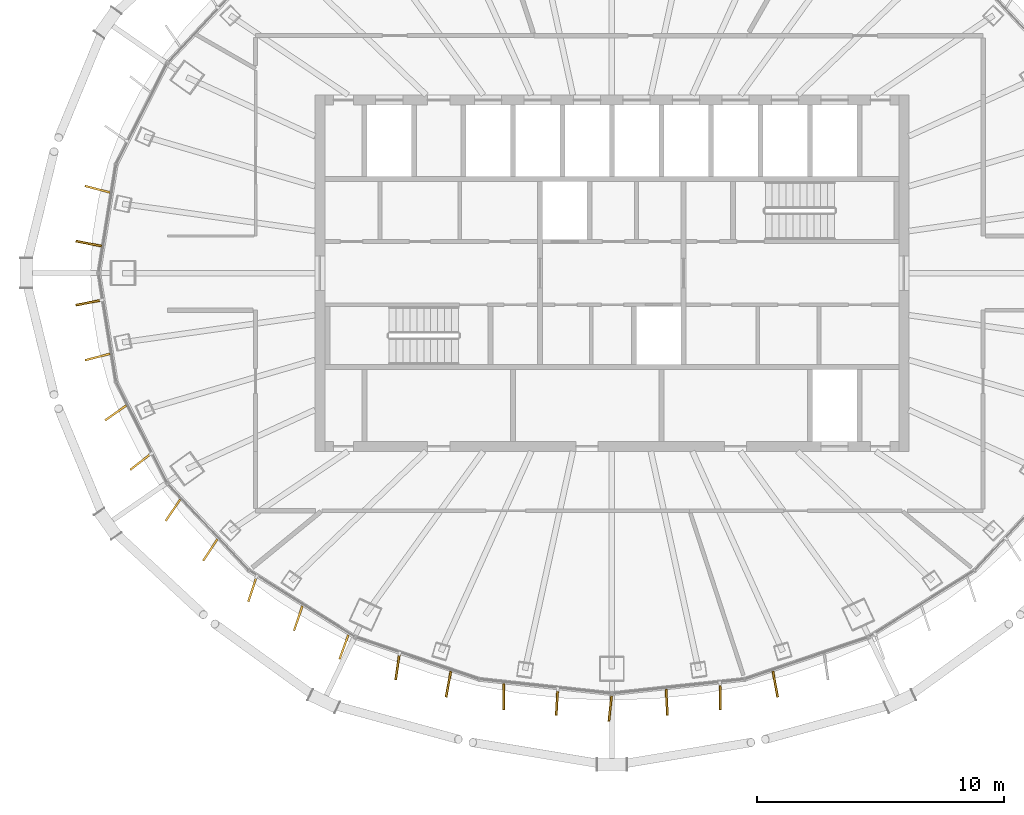
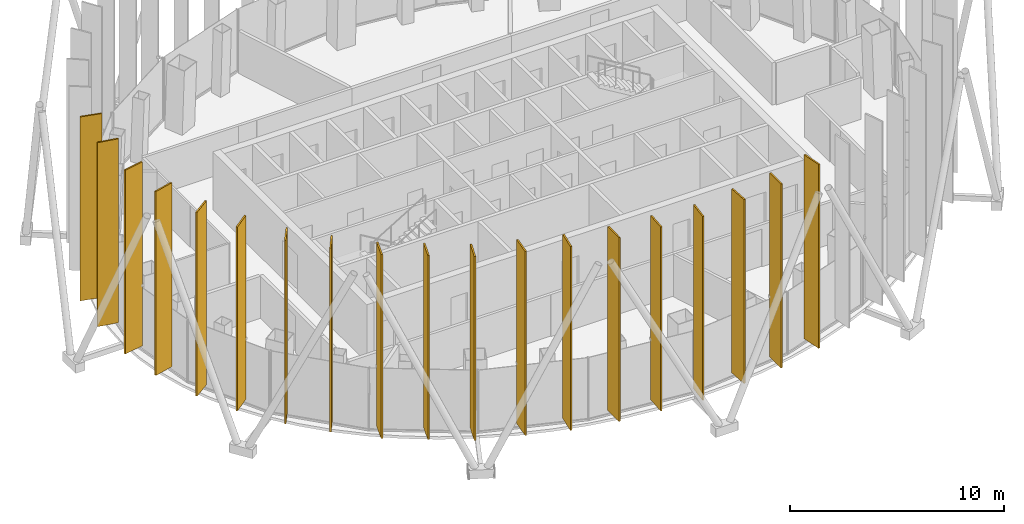
# One storey, part 16 of 19: 19 shading devices.
"""IFC4 building model written with IfcOpenShell, lengths in metres."""

from ifc_helpers import new_model, si_unit, direction, frame, origin, origin_2d, place, context, subcontext, project, spatial, rectangle, extrude, material, layer, layer_set, type_object, element, save


model = new_model("IFC4")

# Units and contexts
model_context = context("Model", 3, precision=1e-05, world=origin(), true_north=direction((0.0, 1.0)))
body_context = subcontext(model_context, "Body", "Model", "MODEL_VIEW")
ifc_project = project(units=[si_unit("LENGTHUNIT", "METRE"), si_unit("AREAUNIT", "SQUARE_METRE"), si_unit("VOLUMEUNIT", "CUBIC_METRE"), si_unit("PLANEANGLEUNIT", "RADIAN"), si_unit("MASSUNIT", "GRAM", prefix="KILO")], contexts=[model_context])

# Site, building, storey
site_placement = place(None, origin())
site = spatial("IfcSite", under=ifc_project, at=site_placement, CompositionType="ELEMENT")
building_placement = place(site_placement, origin())
building = spatial("IfcBuilding", under=site, at=building_placement, Name="Siaravel Broadcast Tower", CompositionType="ELEMENT")
storey_placement = place(building_placement, frame((0.0, 0.0, 250.39990234375)))
storey = spatial("IfcBuildingStorey", under=building, at=storey_placement, Name="L61", CompositionType="ELEMENT", Elevation=250.39990234375)

# Shading devices
ifc_material = material(Name="Bronze anodised aluminium", Category="aluminium")
ifc_layer = layer(ifc_material, 0.080078125)
ifc_layer_set = layer_set([ifc_layer], Name="Bronze anodised aluminium")
shading_device_type = type_object("IfcShadingDeviceType", Name="Bronze fin zone 4", PredefinedType="USERDEFINED", material=ifc_layer_set)
for number, where, z_axis, x_axis, name in (
    (1, (-20.787109375, 3.390869140625, 0.300048828125), (0.0, 0.0, 1.0), (-0.968487165, 0.249063468, 0.0), "Bronze fin L61-26"),
    (2, (-21.14208984375, 1.193359375, 0.300048828125), (0.0, 0.0, 1.0), (-0.981879749, 0.189505035, 0.0), "Bronze fin L61-27"),
    (3, (-21.14208984375, -1.193359375, 0.300048828125), (0.0, 0.0, 1.0), (-0.981879749, -0.189505035, 0.0), "Bronze fin L61-28"),
    (4, (-20.787109375, -3.390869140625, 0.300048828125), (0.0, 0.0, 1.0), (-0.968487165, -0.249063468, 0.0), "Bronze fin L61-29"),
    (5, (-20.05224609375, -5.65087890625, 0.300048828125), (0.0, 0.0, 1.0), (-0.81719721, -0.576358152, 0.0), "Bronze fin L61-30"),
    (6, (-19.04833984375, -7.62744140625, 0.300048828125), (0.0, 0.0, 1.0), (-0.790980122, -0.611841847, 0.0), "Bronze fin L61-31"),
    (7, (-17.73583984375, -9.580810546875, 0.300048828125), (0.0, 0.0, 1.0), (-0.561614141, -0.827399273, 0.0), "Bronze fin L61-32"),
    (8, (-16.22802734375, -11.18701171875, 0.300048828125), (0.0, 0.0, 1.0), (-0.546609208, -0.837387828, 0.0), "Bronze fin L61-33"),
    (9, (-14.5283203125, -12.78173828125, 0.300048828125), (0.0, 0.0, 1.0), (-0.311713096, -0.950176271, 0.0), "Bronze fin L61-34"),
    (10, (-12.6748046875, -13.94775390625, 0.300048828125), (0.0, 0.0, 1.0), (-0.319773042, -0.94749417, 0.0), "Bronze fin L61-35"),
    (11, (-10.82763671875, -15.11181640625, 0.300048828125), (0.0, 0.0, 1.0), (-0.339173053, -0.940723998, 0.0), "Bronze fin L61-36"),
    (12, (-8.66162109375, -15.91162109375, 0.300048828125), (0.0, 0.0, 1.0), (-0.141682207, -0.989912194, 0.0), "Bronze fin L61-37"),
    (13, (-6.604248046875, -16.61328125, 0.300048828125), (0.0, 0.0, 1.0), (-0.180165502, -0.983636311, 0.0), "Bronze fin L61-38"),
    (14, (-4.373291015625, -17.1142578125, 0.300048828125), (0.0, 0.0, 1.0), (-0.006450692, -0.999979194, 0.0), "Bronze fin L61-39"),
    (15, (-2.218017578125, -17.348876953125, 0.300048828125), (0.0, 0.0, 1.0), (-0.055873783, -0.99843784, 0.0), "Bronze fin L61-40"),
    (16, (-0.063720703125, -17.581787109375, 0.300048828125), (0.0, 0.0, 1.0), (-0.107218518, -0.99423548, 0.0), "Bronze fin L61-41"),
    (17, (2.218017578125, -17.348876953125, 0.300048828125), (0.0, 0.0, 1.0), (0.055873783, -0.99843784, 0.0), "Bronze fin L61-42"),
    (18, (4.373291015625, -17.1142578125, 0.300048828125), (0.0, 0.0, 1.0), (0.006450692, -0.999979194, 0.0), "Bronze fin L61-43"),
    (19, (6.604248046875, -16.61328125, 0.300048828125), (0.0, 0.0, 1.0), (0.180165502, -0.983636311, 0.0), "Bronze fin L61-44"),
):
    element("IfcShadingDevice", number, at=place(storey_placement, frame(where, z_axis=z_axis, x_axis=x_axis)), inside=storey, type_object=shading_device_type, Name=name, ObjectType="FIN", PredefinedType="USERDEFINED", context=body_context, shape_type="SweptSolid", body=[
        extrude(rectangle(XDim=1.050048828125, YDim=0.080078125, at=origin_2d()), origin(), (0.0, 0.0, 1.0), 10.5),
    ])

save(model, "model.ifc")
